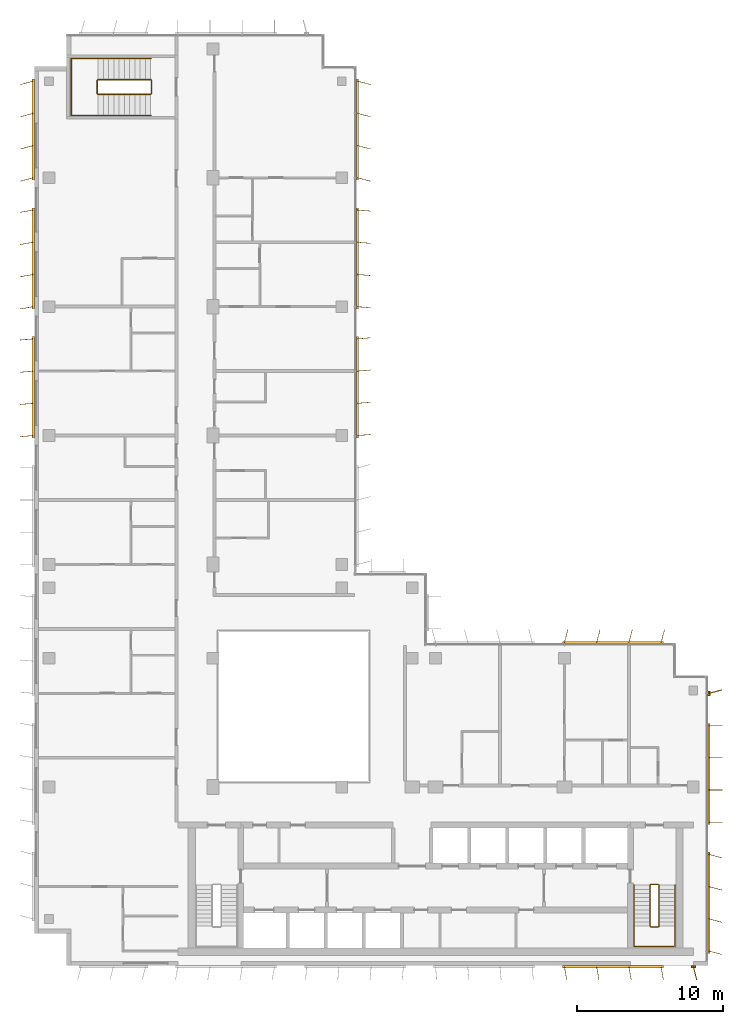
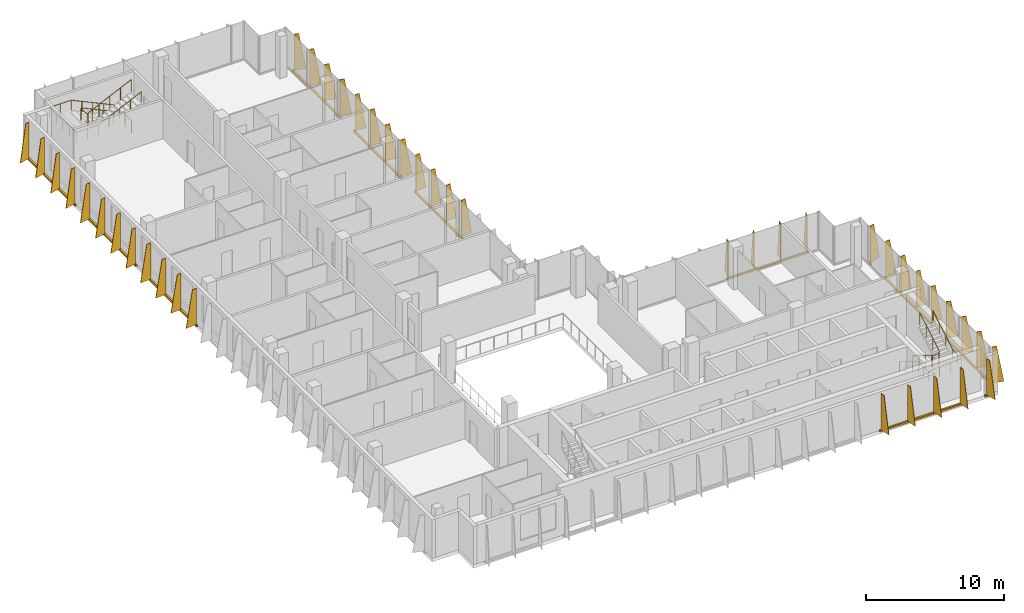
# One storey, part 15 of 16: 12 shading devices, 4 railings.
"""IFC4 building model written with IfcOpenShell, lengths in metres."""

from ifc_helpers import new_model, si_unit, direction, frame, origin, origin_2d, place, context, subcontext, project, spatial, polyline, rectangle, circle, outline, extrude, source, transform, mapped, material, layer, layer_set, type_object, element, save


model = new_model("IFC4")

# Units and contexts
model_context = context("Model", 3, precision=1e-05, world=origin(), true_north=direction((0.0, 1.0)))
body_context = subcontext(model_context, "Body", "Model", "MODEL_VIEW")
ifc_project = project(units=[si_unit("LENGTHUNIT", "METRE"), si_unit("AREAUNIT", "SQUARE_METRE"), si_unit("VOLUMEUNIT", "CUBIC_METRE"), si_unit("PLANEANGLEUNIT", "RADIAN"), si_unit("MASSUNIT", "GRAM", prefix="KILO")], contexts=[model_context])

# Site, building, storey
site_placement = place(None, origin())
site = spatial("IfcSite", under=ifc_project, at=site_placement, CompositionType="ELEMENT")
building_placement = place(site_placement, origin())
building = spatial("IfcBuilding", under=site, at=building_placement, Name="Kemantara Hotel Tower", CompositionType="ELEMENT")
storey_placement = place(building_placement, frame((0.0, 0.0, 283.300048828125)))
storey = spatial("IfcBuildingStorey", under=building, at=storey_placement, Name="L71", CompositionType="ELEMENT", Elevation=283.300048828125)

# Railings
ifc_material_1 = material(Name="Stainless steel balustrade", Category="steel")
railing_type_1 = type_object("IfcRailingType", Name="Stair guard 1100 mm", PredefinedType="GUARDRAIL", material=ifc_material_1)
railing_1_placement = place(storey_placement, frame((42.64990234375, 5.5, 3.699951171875)))
element("IfcRailing", 1, at=railing_1_placement, inside=storey, type_object=railing_type_1, Name="L71 ST2 stair guard 1", PredefinedType="GUARDRAIL", context=body_context, shape_type="SweptSolid", body=[
    extrude(circle(Radius=0.02392578125, at=origin_2d()), frame((0.0, 0.0, 1.076171875), z_axis=(0.0, -0.857242210791, -0.514913383045), x_axis=(1.0, 0.0, 0.0)), (0.0, 0.0, 1.0), 3.266357421875),
    extrude(circle(Radius=0.02392578125, at=origin_2d()), frame((0.0, -2.800048828125, -0.60595703125), z_axis=(-0.273006030465, -0.27434429532, -0.922064485248), x_axis=(0.708833529934, -0.705375805398, 0.0)), (0.0, 0.0, 1.0), 0.182373046875),
    extrude(circle(Radius=0.02392578125, at=origin_2d()), frame((-0.0498046875, -2.85009765625, -0.77392578125), z_axis=(-1.0, 0.0, 0.0), x_axis=(0.0, -1.0, 0.0)), (0.0, 0.0, 1.0), 0.5),
    extrude(circle(Radius=0.02392578125, at=origin_2d()), frame((-0.5498046875, -2.85009765625, -0.77392578125), z_axis=(-0.707106781187, 0.707106781187, 0.0), x_axis=(-0.707106781187, -0.707106781187, 0.0)), (0.0, 0.0, 1.0), 0.07080078125),
    extrude(circle(Radius=0.02392578125, at=origin_2d()), frame((-0.599853515625, -2.800048828125, -0.77392578125), z_axis=(0.0, 0.857275202839, -0.514858452973), x_axis=(-1.0, 0.0, 0.0)), (0.0, 0.0, 1.0), 3.26611328125),
    extrude(circle(Radius=0.02392578125, at=origin_2d()), frame((-0.599853515625, 0.0, -2.45556640625), z_axis=(0.274243871929, 0.274243871929, -0.92172696468), x_axis=(-0.707106781187, 0.707106781187, 0.0)), (0.0, 0.0, 1.0), 0.1826171875),
    extrude(circle(Radius=0.02392578125, at=origin_2d()), frame((-0.5498046875, 0.050048828125, -2.6240234375), z_axis=(1.0, 0.0, 0.0), x_axis=(0.0, 1.0, 0.0)), (0.0, 0.0, 1.0), 0.5),
    extrude(circle(Radius=0.02099609375, at=origin_2d()), origin(), (0.0, 0.0, 1.0), 1.052001953125),
    extrude(circle(Radius=0.02099609375, at=origin_2d()), frame((0.0, -0.933349609375, -0.560546875)), (0.0, 0.0, 1.0), 1.052001953125),
    extrude(circle(Radius=0.02099609375, at=origin_2d()), frame((0.0, -1.86669921875, -1.121337890625)), (0.0, 0.0, 1.0), 1.052001953125),
    extrude(circle(Radius=0.02099609375, at=origin_2d()), frame((0.0, -2.800048828125, -1.681884765625)), (0.0, 0.0, 1.0), 1.052001953125),
    extrude(circle(Radius=0.02099609375, at=origin_2d()), frame((-0.0498046875, -2.85009765625, -1.85009765625)), (0.0, 0.0, 1.0), 1.052001953125),
    extrude(circle(Radius=0.02099609375, at=origin_2d()), frame((-0.5498046875, -2.85009765625, -1.85009765625)), (0.0, 0.0, 1.0), 1.052001953125),
    extrude(circle(Radius=0.02099609375, at=origin_2d()), frame((-0.599853515625, -2.800048828125, -1.85009765625)), (0.0, 0.0, 1.0), 1.052001953125),
    extrude(circle(Radius=0.02099609375, at=origin_2d()), frame((-0.599853515625, -1.86669921875, -2.41064453125)), (0.0, 0.0, 1.0), 1.052001953125),
    extrude(circle(Radius=0.02099609375, at=origin_2d()), frame((-0.599853515625, -0.933349609375, -2.97119140625)), (0.0, 0.0, 1.0), 1.052001953125),
    extrude(circle(Radius=0.02099609375, at=origin_2d()), frame((-0.599853515625, 0.0, -3.53173828125)), (0.0, 0.0, 1.0), 1.052001953125),
    extrude(circle(Radius=0.02099609375, at=origin_2d()), frame((-0.5498046875, 0.050048828125, -3.699951171875)), (0.0, 0.0, 1.0), 1.052001953125),
    extrude(circle(Radius=0.02099609375, at=origin_2d()), frame((-0.0498046875, 0.050048828125, -3.699951171875)), (0.0, 0.0, 1.0), 1.052001953125),
])
railing_2_placement = place(storey_placement, frame((7.949951171875, 59.5, 3.699951171875)))
element("IfcRailing", 2, at=railing_2_placement, inside=storey, type_object=railing_type_1, Name="L71 ST4 stair guard 1", PredefinedType="GUARDRAIL", context=body_context, shape_type="SweptSolid", body=[
    extrude(circle(Radius=0.02392578125, at=origin_2d()), frame((0.0, 0.0, 1.076171875), z_axis=(-0.905994681025, 0.0, -0.423289071386), x_axis=(0.0, -1.0, 0.0)), (0.0, 0.0, 1.0), 3.973388671875),
    extrude(circle(Radius=0.02392578125, at=origin_2d()), frame((-3.599853515625, 0.0, -0.60595703125), z_axis=(-0.274243871929, 0.274243871929, -0.92172696468), x_axis=(-0.707106781187, -0.707106781187, 0.0)), (0.0, 0.0, 1.0), 0.1826171875),
    extrude(circle(Radius=0.02392578125, at=origin_2d()), frame((-3.64990234375, 0.050048828125, -0.77392578125), z_axis=(0.0, 1.0, 0.0), x_axis=(-1.0, 0.0, 0.0)), (0.0, 0.0, 1.0), 0.89990234375),
    extrude(circle(Radius=0.02392578125, at=origin_2d()), frame((-3.64990234375, 0.949951171875, -0.77392578125), z_axis=(0.707106781187, 0.707106781187, 0.0), x_axis=(-0.707106781187, 0.707106781187, 0.0)), (0.0, 0.0, 1.0), 0.07080078125),
    extrude(circle(Radius=0.02392578125, at=origin_2d()), frame((-3.599853515625, 1.0, -0.77392578125), z_axis=(0.906018243939, 0.0, -0.423238634402), x_axis=(0.0, 1.0, 0.0)), (0.0, 0.0, 1.0), 3.973388671875),
    extrude(circle(Radius=0.02392578125, at=origin_2d()), frame((0.0, 1.0, -2.45556640625), z_axis=(0.274243871929, -0.274243871929, -0.92172696468), x_axis=(0.707106781187, 0.707106781187, 0.0)), (0.0, 0.0, 1.0), 0.1826171875),
    extrude(circle(Radius=0.02392578125, at=origin_2d()), frame((0.050048828125, 0.949951171875, -2.6240234375), z_axis=(0.0, -1.0, 0.0), x_axis=(1.0, 0.0, 0.0)), (0.0, 0.0, 1.0), 0.89990234375),
    extrude(circle(Radius=0.02099609375, at=origin_2d()), origin(), (0.0, 0.0, 1.0), 1.052001953125),
    extrude(circle(Radius=0.02099609375, at=origin_2d()), frame((-0.89990234375, 0.0, -0.42041015625)), (0.0, 0.0, 1.0), 1.052001953125),
    extrude(circle(Radius=0.02099609375, at=origin_2d()), frame((-1.7998046875, 0.0, -0.8408203125)), (0.0, 0.0, 1.0), 1.052001953125),
    extrude(circle(Radius=0.02099609375, at=origin_2d()), frame((-2.699951171875, 0.0, -1.261474609375)), (0.0, 0.0, 1.0), 1.052001953125),
    extrude(circle(Radius=0.02099609375, at=origin_2d()), frame((-3.599853515625, 0.0, -1.681884765625)), (0.0, 0.0, 1.0), 1.052001953125),
    extrude(circle(Radius=0.02099609375, at=origin_2d()), frame((-3.64990234375, 0.050048828125, -1.85009765625)), (0.0, 0.0, 1.0), 1.052001953125),
    extrude(circle(Radius=0.02099609375, at=origin_2d()), frame((-3.64990234375, 0.949951171875, -1.85009765625)), (0.0, 0.0, 1.0), 1.052001953125),
    extrude(circle(Radius=0.02099609375, at=origin_2d()), frame((-3.599853515625, 1.0, -1.85009765625)), (0.0, 0.0, 1.0), 1.052001953125),
    extrude(circle(Radius=0.02099609375, at=origin_2d()), frame((-2.699951171875, 1.0, -2.2705078125)), (0.0, 0.0, 1.0), 1.052001953125),
    extrude(circle(Radius=0.02099609375, at=origin_2d()), frame((-1.7998046875, 1.0, -2.69091796875)), (0.0, 0.0, 1.0), 1.052001953125),
    extrude(circle(Radius=0.02099609375, at=origin_2d()), frame((-0.89990234375, 1.0, -3.111328125)), (0.0, 0.0, 1.0), 1.052001953125),
    extrude(circle(Radius=0.02099609375, at=origin_2d()), frame((0.0, 1.0, -3.53173828125)), (0.0, 0.0, 1.0), 1.052001953125),
    extrude(circle(Radius=0.02099609375, at=origin_2d()), frame((0.050048828125, 0.949951171875, -3.699951171875)), (0.0, 0.0, 1.0), 1.052001953125),
    extrude(circle(Radius=0.02099609375, at=origin_2d()), frame((0.050048828125, 0.050048828125, -3.699951171875)), (0.0, 0.0, 1.0), 1.052001953125),
])
railing_type_2 = type_object("IfcRailingType", Name="Stair handrail 900 mm", PredefinedType="HANDRAIL", material=ifc_material_1)
railing_3_placement = place(storey_placement, frame((40.949951171875, 5.5, 0.168212890625)))
element("IfcRailing", 3, at=railing_3_placement, inside=storey, type_object=railing_type_2, Name="L71 ST2 stair handrail 1", PredefinedType="HANDRAIL", context=body_context, shape_type="SweptSolid", body=[
    extrude(circle(Radius=0.02392578125, at=origin_2d()), frame((0.0, 0.0, 0.8759765625), z_axis=(0.0, -0.857275202839, 0.514858452973), x_axis=(1.0, 0.0, 0.0)), (0.0, 0.0, 1.0), 3.26611328125),
    extrude(circle(Radius=0.02392578125, at=origin_2d()), frame((0.0, -2.800048828125, 2.5576171875), z_axis=(0.0, -1.0, 0.0), x_axis=(1.0, 0.0, 0.0)), (0.0, 0.0, 1.0), 1.3798828125),
    extrude(circle(Radius=0.02392578125, at=origin_2d()), frame((0.0, -4.179931640625, 2.5576171875), z_axis=(0.998200367801, 0.0, 0.059966871865), x_axis=(0.0, 1.0, 0.0)), (0.0, 0.0, 1.0), 2.80517578125),
    extrude(circle(Radius=0.02392578125, at=origin_2d()), frame((2.800048828125, -4.179931640625, 2.7255859375), z_axis=(0.0, 1.0, 0.0), x_axis=(-1.0, 0.0, 0.0)), (0.0, 0.0, 1.0), 1.3798828125),
    extrude(circle(Radius=0.02392578125, at=origin_2d()), frame((2.800048828125, -2.800048828125, 2.7255859375), z_axis=(0.0, 0.857242210791, 0.514913383045), x_axis=(-1.0, 0.0, 0.0)), (0.0, 0.0, 1.0), 3.266357421875),
    extrude(circle(Radius=0.02099609375, at=origin_2d()), origin(), (0.0, 0.0, 1.0), 0.851806640625),
    extrude(circle(Radius=0.02099609375, at=origin_2d()), frame((0.0, -0.933349609375, 0.560546875)), (0.0, 0.0, 1.0), 0.851806640625),
    extrude(circle(Radius=0.02099609375, at=origin_2d()), frame((0.0, -1.86669921875, 1.12109375)), (0.0, 0.0, 1.0), 0.851806640625),
    extrude(circle(Radius=0.02099609375, at=origin_2d()), frame((0.0, -2.800048828125, 1.681640625)), (0.0, 0.0, 1.0), 0.851806640625),
    extrude(circle(Radius=0.02099609375, at=origin_2d()), frame((0.0, -3.489990234375, 1.681640625)), (0.0, 0.0, 1.0), 0.851806640625),
    extrude(circle(Radius=0.02099609375, at=origin_2d()), frame((0.0, -4.179931640625, 1.681640625)), (0.0, 0.0, 1.0), 0.851806640625),
    extrude(circle(Radius=0.02099609375, at=origin_2d()), frame((0.933349609375, -4.179931640625, 1.73779296875)), (0.0, 0.0, 1.0), 0.851806640625),
    extrude(circle(Radius=0.02099609375, at=origin_2d()), frame((1.86669921875, -4.179931640625, 1.793701171875)), (0.0, 0.0, 1.0), 0.851806640625),
    extrude(circle(Radius=0.02099609375, at=origin_2d()), frame((2.800048828125, -4.179931640625, 1.849853515625)), (0.0, 0.0, 1.0), 0.851806640625),
    extrude(circle(Radius=0.02099609375, at=origin_2d()), frame((2.800048828125, -3.489990234375, 1.849853515625)), (0.0, 0.0, 1.0), 0.851806640625),
    extrude(circle(Radius=0.02099609375, at=origin_2d()), frame((2.800048828125, -2.800048828125, 1.849853515625)), (0.0, 0.0, 1.0), 0.851806640625),
    extrude(circle(Radius=0.02099609375, at=origin_2d()), frame((2.800048828125, -1.86669921875, 2.410400390625)), (0.0, 0.0, 1.0), 0.851806640625),
    extrude(circle(Radius=0.02099609375, at=origin_2d()), frame((2.800048828125, -0.933349609375, 2.97119140625)), (0.0, 0.0, 1.0), 0.851806640625),
    extrude(circle(Radius=0.02099609375, at=origin_2d()), frame((2.800048828125, 0.0, 3.53173828125)), (0.0, 0.0, 1.0), 0.851806640625),
])
railing_4_placement = place(storey_placement, frame((7.949951171875, 61.949951171875, 0.168212890625)))
element("IfcRailing", 4, at=railing_4_placement, inside=storey, type_object=railing_type_2, Name="L71 ST4 stair handrail 1", PredefinedType="HANDRAIL", context=body_context, shape_type="SweptSolid", body=[
    extrude(circle(Radius=0.02392578125, at=origin_2d()), frame((0.0, 0.0, 0.8759765625), z_axis=(-0.906018243939, 0.0, 0.423238634402), x_axis=(0.0, -1.0, 0.0)), (0.0, 0.0, 1.0), 3.973388671875),
    extrude(circle(Radius=0.02392578125, at=origin_2d()), frame((-3.599853515625, 0.0, 2.5576171875), z_axis=(-1.0, 0.0, 0.0), x_axis=(0.0, -1.0, 0.0)), (0.0, 0.0, 1.0), 1.830078125),
    extrude(circle(Radius=0.02392578125, at=origin_2d()), frame((-5.429931640625, 0.0, 2.5576171875), z_axis=(0.0, -0.999071085748, 0.043092523981), x_axis=(1.0, 0.0, 0.0)), (0.0, 0.0, 1.0), 3.903564453125),
    extrude(circle(Radius=0.02392578125, at=origin_2d()), frame((-5.429931640625, -3.89990234375, 2.7255859375), z_axis=(1.0, 0.0, 0.0), x_axis=(0.0, 1.0, 0.0)), (0.0, 0.0, 1.0), 1.830078125),
    extrude(circle(Radius=0.02392578125, at=origin_2d()), frame((-3.599853515625, -3.89990234375, 2.7255859375), z_axis=(0.905994681025, 0.0, 0.423289071386), x_axis=(0.0, 1.0, 0.0)), (0.0, 0.0, 1.0), 3.973388671875),
    extrude(circle(Radius=0.02099609375, at=origin_2d()), origin(), (0.0, 0.0, 1.0), 0.851806640625),
    extrude(circle(Radius=0.02099609375, at=origin_2d()), frame((-0.89990234375, 0.0, 0.42041015625)), (0.0, 0.0, 1.0), 0.851806640625),
    extrude(circle(Radius=0.02099609375, at=origin_2d()), frame((-1.7998046875, 0.0, 0.8408203125)), (0.0, 0.0, 1.0), 0.851806640625),
    extrude(circle(Radius=0.02099609375, at=origin_2d()), frame((-2.699951171875, 0.0, 1.26123046875)), (0.0, 0.0, 1.0), 0.851806640625),
    extrude(circle(Radius=0.02099609375, at=origin_2d()), frame((-3.599853515625, 0.0, 1.681640625)), (0.0, 0.0, 1.0), 0.851806640625),
    extrude(circle(Radius=0.02099609375, at=origin_2d()), frame((-4.514892578125, 0.0, 1.681640625)), (0.0, 0.0, 1.0), 0.851806640625),
    extrude(circle(Radius=0.02099609375, at=origin_2d()), frame((-5.429931640625, 0.0, 1.681640625)), (0.0, 0.0, 1.0), 0.851806640625),
    extrude(circle(Radius=0.02099609375, at=origin_2d()), frame((-5.429931640625, -0.97509765625, 1.7236328125)), (0.0, 0.0, 1.0), 0.851806640625),
    extrude(circle(Radius=0.02099609375, at=origin_2d()), frame((-5.429931640625, -1.949951171875, 1.765625)), (0.0, 0.0, 1.0), 0.851806640625),
    extrude(circle(Radius=0.02099609375, at=origin_2d()), frame((-5.429931640625, -2.9248046875, 1.807861328125)), (0.0, 0.0, 1.0), 0.851806640625),
    extrude(circle(Radius=0.02099609375, at=origin_2d()), frame((-5.429931640625, -3.89990234375, 1.849853515625)), (0.0, 0.0, 1.0), 0.851806640625),
    extrude(circle(Radius=0.02099609375, at=origin_2d()), frame((-4.514892578125, -3.89990234375, 1.849853515625)), (0.0, 0.0, 1.0), 0.851806640625),
    extrude(circle(Radius=0.02099609375, at=origin_2d()), frame((-3.599853515625, -3.89990234375, 1.849853515625)), (0.0, 0.0, 1.0), 0.851806640625),
    extrude(circle(Radius=0.02099609375, at=origin_2d()), frame((-2.699951171875, -3.89990234375, 2.270263671875)), (0.0, 0.0, 1.0), 0.851806640625),
    extrude(circle(Radius=0.02099609375, at=origin_2d()), frame((-1.7998046875, -3.89990234375, 2.69091796875)), (0.0, 0.0, 1.0), 0.851806640625),
    extrude(circle(Radius=0.02099609375, at=origin_2d()), frame((-0.89990234375, -3.89990234375, 3.111328125)), (0.0, 0.0, 1.0), 0.851806640625),
    extrude(circle(Radius=0.02099609375, at=origin_2d()), frame((0.0, -3.89990234375, 3.53173828125)), (0.0, 0.0, 1.0), 0.851806640625),
])

# Shading devices
ifc_material_2 = material(Name="Perforated aluminium plate 4 mm bronze anodised", Category="aluminium")
ifc_layer_1 = layer(ifc_material_2, 0.0400390625)
ifc_layer_set_1 = layer_set([ifc_layer_1], Name="Perforated aluminium plate 4 mm bronze anodised")
shading_device_type_1 = type_object("IfcShadingDeviceType", Name="SCREEN FIN CASSETTE, 4 BLADES AT -5.0 DEG, 3200 HIGH", PredefinedType="USERDEFINED", material=ifc_layer_set_1)
shared_shape_1 = source(origin(), body_context, "Body", "SweptSolid", [
    extrude(rectangle(XDim=6.89990234375, YDim=0.14990234375, at=origin_2d()), frame((3.300048828125, -0.074951171875, -0.14990234375), z_axis=(0.0, 0.0, 1.0), x_axis=(1.0, 0.0, 0.0)), (0.0, 0.0, 1.0), 0.14990234375),
    extrude(outline(polyline([(0.0, 0.0), (0.89990234375, 0.0), (0.35009765625, 3.199951171875), (0.0, 3.199951171875), (0.0, 0.0)])), frame((0.02001953125, -0.07666015625, 0.0), z_axis=(-0.996376129781, 0.085056498884, 0.0), x_axis=(-0.085056498884, -0.996376129781, 0.0)), (0.0, 0.0, 1.0), 0.040283203125),
    extrude(outline(polyline([(0.0, 0.0), (0.89990234375, 0.0), (0.35009765625, 3.199951171875), (0.0, 3.199951171875), (0.0, 0.0)])), frame((2.219970703125, -0.07666015625, 0.0), z_axis=(-0.996331773833, 0.085574508182, 0.0), x_axis=(-0.085574508182, -0.996331773833, 0.0)), (0.0, 0.0, 1.0), 0.0400390625),
    extrude(outline(polyline([(0.0, 0.0), (0.89990234375, 0.0), (0.35009765625, 3.199951171875), (0.0, 3.199951171875), (0.0, 0.0)])), frame((4.419921875, -0.07666015625, 0.0), z_axis=(-0.996331773833, 0.085574508182, 0.0), x_axis=(-0.085574508182, -0.996331773833, 0.0)), (0.0, 0.0, 1.0), 0.0400390625),
    extrude(outline(polyline([(0.0, 0.0), (0.89990234375, 0.0), (0.35009765625, 3.199951171875), (0.0, 3.199951171875), (0.0, 0.0)])), frame((6.619873046875, -0.07666015625, 0.0), z_axis=(-0.996331773833, 0.085574508182, 0.0), x_axis=(-0.085574508182, -0.996331773833, 0.0)), (0.0, 0.0, 1.0), 0.0400390625),
])
shading_device_1_placement = place(storey_placement, frame((22.0, 45.0, 0.099853515625), z_axis=(0.0, 0.0, 1.0), x_axis=(0.0, 1.0, 0.0)))
element("IfcShadingDevice", 5, at=shading_device_1_placement, inside=storey, type_object=shading_device_type_1, Name="SCREEN FIN CASSETTE L71 T4-R15-3", ObjectType="SCREEN FIN", PredefinedType="USERDEFINED", context=body_context, shape_type="MappedRepresentation", body=[
    mapped(shared_shape_1, transform((0.0, 0.0, 0.0))),
])
ifc_layer_2 = layer(ifc_material_2, 0.0400390625)
ifc_layer_set_2 = layer_set([ifc_layer_2], Name="Perforated aluminium plate 4 mm bronze anodised")
shading_device_type_2 = type_object("IfcShadingDeviceType", Name="SCREEN FIN CASSETTE, 4 BLADES AT +0.0 DEG, 3200 HIGH", PredefinedType="USERDEFINED", material=ifc_layer_set_2)
shared_shape_2 = source(origin(), body_context, "Body", "SweptSolid", [
    extrude(rectangle(XDim=6.89990234375, YDim=0.14990234375, at=origin_2d()), frame((3.300048828125, -0.074951171875, -0.14990234375), z_axis=(0.0, 0.0, 1.0), x_axis=(1.0, 0.0, 0.0)), (0.0, 0.0, 1.0), 0.14990234375),
    extrude(outline(polyline([(0.0, 0.0), (0.89990234375, 0.0), (0.35009765625, 3.199951171875), (0.0, 3.199951171875), (0.0, 0.0)])), frame((0.02001953125, -0.074951171875, 0.0), z_axis=(-1.0, 0.0, 0.0), x_axis=(0.0, -1.0, 0.0)), (0.0, 0.0, 1.0), 0.0400390625),
    extrude(outline(polyline([(0.0, 0.0), (0.89990234375, 0.0), (0.35009765625, 3.199951171875), (0.0, 3.199951171875), (0.0, 0.0)])), frame((2.219970703125, -0.074951171875, 0.0), z_axis=(-1.0, 0.0, 0.0), x_axis=(0.0, -1.0, 0.0)), (0.0, 0.0, 1.0), 0.0400390625),
    extrude(outline(polyline([(0.0, 0.0), (0.89990234375, 0.0), (0.35009765625, 3.199951171875), (0.0, 3.199951171875), (0.0, 0.0)])), frame((4.419921875, -0.074951171875, 0.0), z_axis=(-1.0, 0.0, 0.0), x_axis=(0.0, -1.0, 0.0)), (0.0, 0.0, 1.0), 0.0400390625),
    extrude(outline(polyline([(0.0, 0.0), (0.89990234375, 0.0), (0.35009765625, 3.199951171875), (0.0, 3.199951171875), (0.0, 0.0)])), frame((6.6201171875, -0.074951171875, 0.0), z_axis=(-1.0, 0.0, 0.0), x_axis=(0.0, -1.0, 0.0)), (0.0, 0.0, 1.0), 0.0400390625),
])
shading_device_2_placement = place(storey_placement, frame((46.0, 9.800048828125, 0.099853515625), z_axis=(0.0, 0.0, 1.0), x_axis=(0.0, 1.0, 0.0)))
element("IfcShadingDevice", 6, at=shading_device_2_placement, inside=storey, type_object=shading_device_type_2, Name="SCREEN FIN CASSETTE L71 T4-R09-2", ObjectType="SCREEN FIN", PredefinedType="USERDEFINED", context=body_context, shape_type="MappedRepresentation", body=[
    mapped(shared_shape_2, transform((0.0, 0.0, 0.0))),
])
ifc_layer_3 = layer(ifc_material_2, 0.0400390625)
ifc_layer_set_3 = layer_set([ifc_layer_3], Name="Perforated aluminium plate 4 mm bronze anodised")
shading_device_type_3 = type_object("IfcShadingDeviceType", Name="SCREEN FIN CASSETTE, 4 BLADES AT +5.0 DEG, 3200 HIGH", PredefinedType="USERDEFINED", material=ifc_layer_set_3)
shared_shape_3 = source(origin(), body_context, "Body", "SweptSolid", [
    extrude(rectangle(XDim=6.89990234375, YDim=0.14990234375, at=origin_2d()), frame((3.300048828125, -0.074951171875, -0.14990234375), z_axis=(0.0, 0.0, 1.0), x_axis=(1.0, 0.0, 0.0)), (0.0, 0.0, 1.0), 0.14990234375),
    extrude(outline(polyline([(0.0, 0.0), (0.89990234375, 0.0), (0.35009765625, 3.199951171875), (0.0, 3.199951171875), (0.0, 0.0)])), frame((0.02001953125, -0.0732421875, 0.0), z_axis=(-0.996376129781, -0.085056498884, 0.0), x_axis=(0.085056498884, -0.996376129781, 0.0)), (0.0, 0.0, 1.0), 0.040283203125),
    extrude(outline(polyline([(0.0, 0.0), (0.89990234375, 0.0), (0.35009765625, 3.199951171875), (0.0, 3.199951171875), (0.0, 0.0)])), frame((2.219970703125, -0.0732421875, 0.0), z_axis=(-0.996331773833, -0.085574508182, 0.0), x_axis=(0.085574508182, -0.996331773833, 0.0)), (0.0, 0.0, 1.0), 0.0400390625),
    extrude(outline(polyline([(0.0, 0.0), (0.89990234375, 0.0), (0.35009765625, 3.199951171875), (0.0, 3.199951171875), (0.0, 0.0)])), frame((4.419921875, -0.0732421875, 0.0), z_axis=(-0.996331773833, -0.085574508182, 0.0), x_axis=(0.085574508182, -0.996331773833, 0.0)), (0.0, 0.0, 1.0), 0.0400390625),
    extrude(outline(polyline([(0.0, 0.0), (0.89990234375, 0.0), (0.35009765625, 3.199951171875), (0.0, 3.199951171875), (0.0, 0.0)])), frame((6.619873046875, -0.0732421875, 0.0), z_axis=(-0.996331773833, -0.085574508182, 0.0), x_axis=(0.085574508182, -0.996331773833, 0.0)), (0.0, 0.0, 1.0), 0.0400390625),
])
for number, where, z_axis, x_axis, name in (
    (7, (0.0, 42.800048828125, 0.099853515625), (0.0, 0.0, 1.0), (0.0, -1.0, 0.0), "SCREEN FIN CASSETTE L71 T4-R05-3"),
    (8, (22.0, 36.199951171875, 0.099853515625), (0.0, 0.0, 1.0), (0.0, 1.0, 0.0), "SCREEN FIN CASSETTE L71 T4-R15-2"),
):
    element("IfcShadingDevice", number, at=place(storey_placement, frame(where, z_axis=z_axis, x_axis=x_axis)), inside=storey, type_object=shading_device_type_3, Name=name, ObjectType="SCREEN FIN", PredefinedType="USERDEFINED", context=body_context, shape_type="MappedRepresentation", body=[
        mapped(shared_shape_3, transform((0.0, 0.0, 0.0))),
    ])
ifc_layer_4 = layer(ifc_material_2, 0.0400390625)
ifc_layer_set_4 = layer_set([ifc_layer_4], Name="Perforated aluminium plate 4 mm bronze anodised")
shading_device_type_4 = type_object("IfcShadingDeviceType", Name="SCREEN FIN CASSETTE, 4 BLADES AT +10.0 DEG, 3200 HIGH", PredefinedType="USERDEFINED", material=ifc_layer_set_4)
shared_shape_4 = source(origin(), body_context, "Body", "SweptSolid", [
    extrude(rectangle(XDim=6.89990234375, YDim=0.14990234375, at=origin_2d()), frame((3.300048828125, -0.074951171875, -0.14990234375), z_axis=(0.0, 0.0, 1.0), x_axis=(1.0, 0.0, 0.0)), (0.0, 0.0, 1.0), 0.14990234375),
    extrude(outline(polyline([(0.0, 0.0), (0.89990234375, 0.0), (0.35009765625, 3.199951171875), (0.0, 3.199951171875), (0.0, 0.0)])), frame((0.019775390625, -0.071533203125, 0.0), z_axis=(-0.985389793052, -0.170314285219, 0.0), x_axis=(0.170314285219, -0.985389793052, 0.0)), (0.0, 0.0, 1.0), 0.0400390625),
    extrude(outline(polyline([(0.0, 0.0), (0.89990234375, 0.0), (0.35009765625, 3.199951171875), (0.0, 3.199951171875), (0.0, 0.0)])), frame((2.2197265625, -0.071533203125, 0.0), z_axis=(-0.98521175482, -0.171341174751, 0.0), x_axis=(0.171341174751, -0.98521175482, 0.0)), (0.0, 0.0, 1.0), 0.039794921875),
    extrude(outline(polyline([(0.0, 0.0), (0.89990234375, 0.0), (0.35009765625, 3.199951171875), (0.0, 3.199951171875), (0.0, 0.0)])), frame((4.419677734375, -0.071533203125, 0.0), z_axis=(-0.98521175482, -0.171341174751, 0.0), x_axis=(0.171341174751, -0.98521175482, 0.0)), (0.0, 0.0, 1.0), 0.039794921875),
    extrude(outline(polyline([(0.0, 0.0), (0.89990234375, 0.0), (0.35009765625, 3.199951171875), (0.0, 3.199951171875), (0.0, 0.0)])), frame((6.61962890625, -0.071533203125, 0.0), z_axis=(-0.98521175482, -0.171341174751, 0.0), x_axis=(0.171341174751, -0.98521175482, 0.0)), (0.0, 0.0, 1.0), 0.039794921875),
])
for number, where, z_axis, x_axis, name in (
    (9, (0.0, 51.60009765625, 0.099853515625), (0.0, 0.0, 1.0), (0.0, -1.0, 0.0), "SCREEN FIN CASSETTE L71 T4-R05-2"),
    (10, (36.199951171875, 0.0, 0.099853515625), (0.0, 0.0, 1.0), (1.0, 0.0, 0.0), "SCREEN FIN CASSETTE L71 T4-R08-5"),
):
    element("IfcShadingDevice", number, at=place(storey_placement, frame(where, z_axis=z_axis, x_axis=x_axis)), inside=storey, type_object=shading_device_type_4, Name=name, ObjectType="SCREEN FIN", PredefinedType="USERDEFINED", context=body_context, shape_type="MappedRepresentation", body=[
        mapped(shared_shape_4, transform((0.0, 0.0, 0.0))),
    ])
ifc_layer_5 = layer(ifc_material_2, 0.0400390625)
ifc_layer_set_5 = layer_set([ifc_layer_5], Name="Perforated aluminium plate 4 mm bronze anodised")
shading_device_type_5 = type_object("IfcShadingDeviceType", Name="SCREEN FIN CASSETTE, 4 BLADES AT +15.0 DEG, 3200 HIGH", PredefinedType="USERDEFINED", material=ifc_layer_set_5)
shared_shape_5 = source(origin(), body_context, "Body", "SweptSolid", [
    extrude(rectangle(XDim=6.89990234375, YDim=0.14990234375, at=origin_2d()), frame((3.300048828125, -0.074951171875, -0.14990234375), z_axis=(0.0, 0.0, 1.0), x_axis=(1.0, 0.0, 0.0)), (0.0, 0.0, 1.0), 0.14990234375),
    extrude(outline(polyline([(0.0, 0.0), (0.89990234375, 0.0), (0.35009765625, 3.199951171875), (0.0, 3.199951171875), (0.0, 0.0)])), frame((0.019287109375, -0.06982421875, 0.0), z_axis=(-0.966437683387, -0.256901156343, 0.0), x_axis=(0.256901156343, -0.966437683387, 0.0)), (0.0, 0.0, 1.0), 0.039794921875),
    extrude(outline(polyline([(0.0, 0.0), (0.89990234375, 0.0), (0.35009765625, 3.199951171875), (0.0, 3.199951171875), (0.0, 0.0)])), frame((2.21923828125, -0.06982421875, 0.0), z_axis=(-0.966437683387, -0.256901156343, 0.0), x_axis=(0.256901156343, -0.966437683387, 0.0)), (0.0, 0.0, 1.0), 0.039794921875),
    extrude(outline(polyline([(0.0, 0.0), (0.89990234375, 0.0), (0.35009765625, 3.199951171875), (0.0, 3.199951171875), (0.0, 0.0)])), frame((4.41943359375, -0.06982421875, 0.0), z_axis=(-0.966837822169, -0.255391122837, 0.0), x_axis=(0.255391122837, -0.966837822169, 0.0)), (0.0, 0.0, 1.0), 0.0400390625),
    extrude(outline(polyline([(0.0, 0.0), (0.89990234375, 0.0), (0.35009765625, 3.199951171875), (0.0, 3.199951171875), (0.0, 0.0)])), frame((6.619384765625, -0.06982421875, 0.0), z_axis=(-0.966837822169, -0.255391122837, 0.0), x_axis=(0.255391122837, -0.966837822169, 0.0)), (0.0, 0.0, 1.0), 0.0400390625),
])
shading_device_3_placement = place(storey_placement, frame((0.0, 60.39990234375, 0.099853515625), z_axis=(0.0, 0.0, 1.0), x_axis=(0.0, -1.0, 0.0)))
element("IfcShadingDevice", 11, at=shading_device_3_placement, inside=storey, type_object=shading_device_type_5, Name="SCREEN FIN CASSETTE L71 T4-R05-1", ObjectType="SCREEN FIN", PredefinedType="USERDEFINED", context=body_context, shape_type="MappedRepresentation", body=[
    mapped(shared_shape_5, transform((0.0, 0.0, 0.0))),
])
ifc_layer_6 = layer(ifc_material_2, 0.0400390625)
ifc_layer_set_6 = layer_set([ifc_layer_6], Name="Perforated aluminium plate 4 mm bronze anodised")
shading_device_type_6 = type_object("IfcShadingDeviceType", Name="SCREEN FIN CASSETTE, 4 BLADES AT -15.0 DEG, 3200 HIGH", PredefinedType="USERDEFINED", material=ifc_layer_set_6)
shared_shape_6 = source(origin(), body_context, "Body", "SweptSolid", [
    extrude(rectangle(XDim=6.89990234375, YDim=0.14990234375, at=origin_2d()), frame((3.300048828125, -0.074951171875, -0.14990234375), z_axis=(0.0, 0.0, 1.0), x_axis=(1.0, 0.0, 0.0)), (0.0, 0.0, 1.0), 0.14990234375),
    extrude(outline(polyline([(0.0, 0.0), (0.89990234375, 0.0), (0.35009765625, 3.199951171875), (0.0, 3.199951171875), (0.0, 0.0)])), frame((0.019287109375, -0.080078125, 0.0), z_axis=(-0.966437683387, 0.256901156343, 0.0), x_axis=(-0.256901156343, -0.966437683387, 0.0)), (0.0, 0.0, 1.0), 0.039794921875),
    extrude(outline(polyline([(0.0, 0.0), (0.89990234375, 0.0), (0.35009765625, 3.199951171875), (0.0, 3.199951171875), (0.0, 0.0)])), frame((2.21923828125, -0.080078125, 0.0), z_axis=(-0.966437683387, 0.256901156343, 0.0), x_axis=(-0.256901156343, -0.966437683387, 0.0)), (0.0, 0.0, 1.0), 0.039794921875),
    extrude(outline(polyline([(0.0, 0.0), (0.89990234375, 0.0), (0.35009765625, 3.199951171875), (0.0, 3.199951171875), (0.0, 0.0)])), frame((4.41943359375, -0.080078125, 0.0), z_axis=(-0.966837822169, 0.255391122837, 0.0), x_axis=(-0.255391122837, -0.966837822169, 0.0)), (0.0, 0.0, 1.0), 0.0400390625),
    extrude(outline(polyline([(0.0, 0.0), (0.89990234375, 0.0), (0.35009765625, 3.199951171875), (0.0, 3.199951171875), (0.0, 0.0)])), frame((6.619384765625, -0.080078125, 0.0), z_axis=(-0.966837822169, 0.255391122837, 0.0), x_axis=(-0.255391122837, -0.966837822169, 0.0)), (0.0, 0.0, 1.0), 0.0400390625),
])
for number, where, z_axis, x_axis, name in (
    (12, (46.0, 1.0, 0.099853515625), (0.0, 0.0, 1.0), (0.0, 1.0, 0.0), "SCREEN FIN CASSETTE L71 T4-R09-1"),
    (13, (42.800048828125, 22.0, 0.099853515625), (0.0, 0.0, 1.0), (-1.0, 0.0, 0.0), "SCREEN FIN CASSETTE L71 T4-R12-1"),
    (14, (22.0, 53.800048828125, 0.099853515625), (0.0, 0.0, 1.0), (0.0, 1.0, 0.0), "SCREEN FIN CASSETTE L71 T4-R15-4"),
):
    element("IfcShadingDevice", number, at=place(storey_placement, frame(where, z_axis=z_axis, x_axis=x_axis)), inside=storey, type_object=shading_device_type_6, Name=name, ObjectType="SCREEN FIN", PredefinedType="USERDEFINED", context=body_context, shape_type="MappedRepresentation", body=[
        mapped(shared_shape_6, transform((0.0, 0.0, 0.0))),
    ])
ifc_layer_7 = layer(ifc_material_2, 0.0400390625)
ifc_layer_set_7 = layer_set([ifc_layer_7], Name="Perforated aluminium plate 4 mm bronze anodised")
shading_device_type_7 = type_object("IfcShadingDeviceType", Name="SCREEN FIN CASSETTE, 1 BLADE AT +15.0 DEG, 3200 HIGH", PredefinedType="USERDEFINED", material=ifc_layer_set_7)
shared_shape_7 = source(origin(), body_context, "Body", "SweptSolid", [
    extrude(rectangle(XDim=0.300048828125, YDim=0.14990234375, at=origin_2d()), frame((0.0, -0.074951171875, -0.14990234375), z_axis=(0.0, 0.0, 1.0), x_axis=(1.0, 0.0, 0.0)), (0.0, 0.0, 1.0), 0.14990234375),
    extrude(outline(polyline([(0.0, 0.0), (0.89990234375, 0.0), (0.35009765625, 3.199951171875), (0.0, 3.199951171875), (0.0, 0.0)])), frame((0.019287109375, -0.06982421875, 0.0), z_axis=(-0.966437683387, -0.256901156343, 0.0), x_axis=(0.256901156343, -0.966437683387, 0.0)), (0.0, 0.0, 1.0), 0.039794921875),
])
for number, where, z_axis, x_axis, name in (
    (15, (45.0, 0.0, 0.099853515625), (0.0, 0.0, 1.0), (1.0, 0.0, 0.0), "SCREEN FIN CASSETTE L71 T4-R08-6"),
    (16, (46.0, 18.60009765625, 0.099853515625), (0.0, 0.0, 1.0), (0.0, 1.0, 0.0), "SCREEN FIN CASSETTE L71 T4-R09-3"),
):
    element("IfcShadingDevice", number, at=place(storey_placement, frame(where, z_axis=z_axis, x_axis=x_axis)), inside=storey, type_object=shading_device_type_7, Name=name, ObjectType="SCREEN FIN", PredefinedType="USERDEFINED", context=body_context, shape_type="MappedRepresentation", body=[
        mapped(shared_shape_7, transform((0.0, 0.0, 0.0))),
    ])

save(model, "model.ifc")
